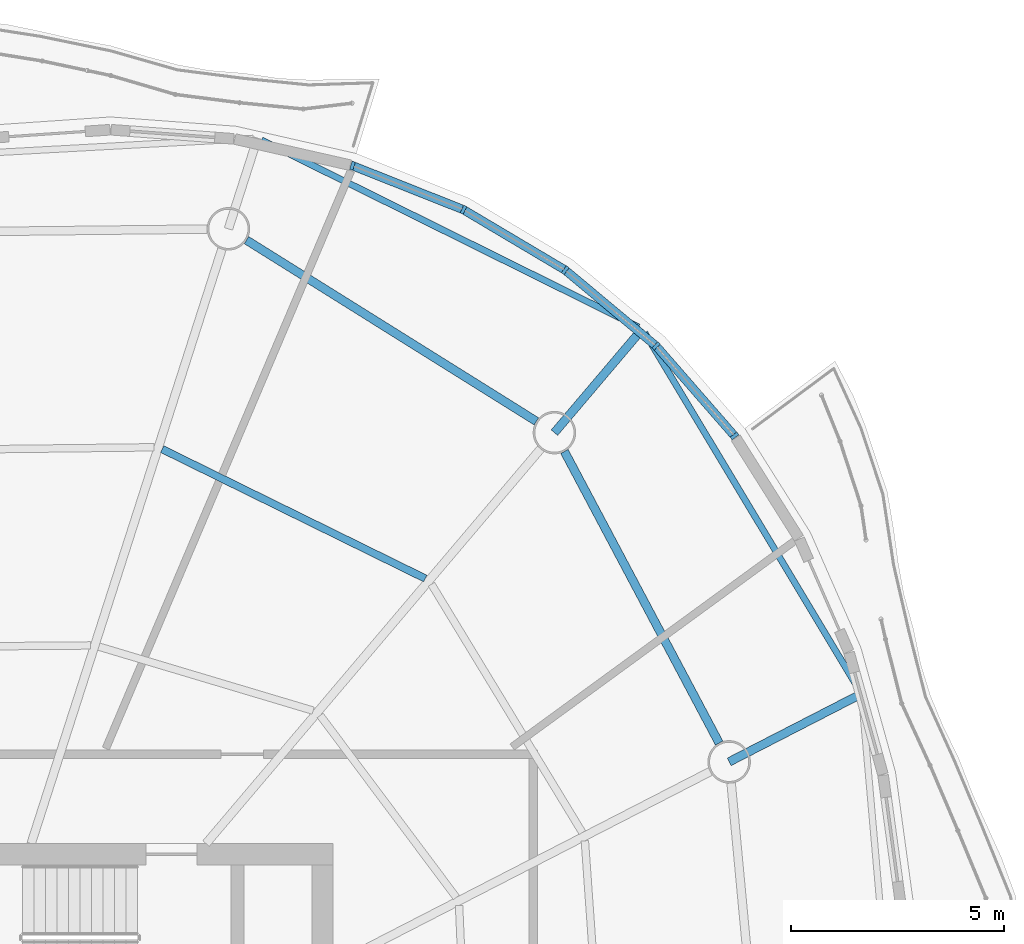
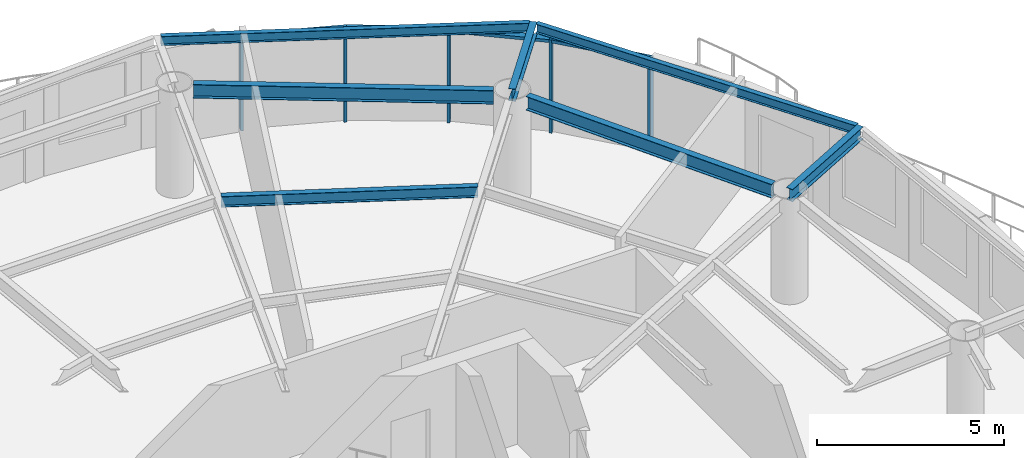
# One storey, part 6 of 14: 9 members, 7 beams, 4 elements without a shape of their own.
"""IFC4 building model written with IfcOpenShell, lengths in metres."""

from ifc_helpers import new_model, si_unit, direction, frame, origin, origin_2d, place, context, subcontext, project, spatial, rectangle, i_section, extrude, material, material_profile, profile_set, type_object, element, aggregate, save


model = new_model("IFC4")

# Units and contexts
model_context = context("Model", 3, precision=1e-05, world=origin(), true_north=direction((0.0, 1.0)))
body_context = subcontext(model_context, "Body", "Model", "MODEL_VIEW")
ifc_project = project(units=[si_unit("LENGTHUNIT", "METRE"), si_unit("AREAUNIT", "SQUARE_METRE"), si_unit("VOLUMEUNIT", "CUBIC_METRE"), si_unit("PLANEANGLEUNIT", "RADIAN"), si_unit("MASSUNIT", "GRAM", prefix="KILO")], contexts=[model_context])

# Site, building, storey
site_placement = place(None, origin())
site = spatial("IfcSite", under=ifc_project, at=site_placement, CompositionType="ELEMENT")
building_placement = place(site_placement, origin())
building = spatial("IfcBuilding", under=site, at=building_placement, Name="Vermilion Reach Broadcast Tower", CompositionType="ELEMENT")
storey_placement = place(building_placement, frame((0.0, 0.0, 254.10009765625)))
storey = spatial("IfcBuildingStorey", under=building, at=storey_placement, Name="L62", CompositionType="ELEMENT", Elevation=254.10009765625)

# Beams
ifc_material_1 = material(Name="Steel S355J2", Category="steel")
ifc_material_profile_1 = material_profile(ifc_material_1, i_section(OverallWidth=0.14990234375, OverallDepth=0.300048828125, WebThickness=0.006591796875, FlangeThickness=0.009033203125, at=origin_2d()), Name="S355J2 HN 300x150x6.5x9")
ifc_profile_set_1 = profile_set([ifc_material_profile_1], Name="Steel S355J2")
beam_type_1 = type_object("IfcBeamType", Name="EB5 HN 300x150x6.5x9", PredefinedType="BEAM", material=ifc_profile_set_1)
beam_1_placement = place(storey_placement, frame((15.964111328125, 11.4052734375, 3.2998046875), z_axis=(-0.514781565132, 0.857321375098, 0.0), x_axis=(-0.857321375098, -0.514781565132, 0.0)))
element("IfcBeam", 1, at=beam_1_placement, inside=storey, type_object=beam_type_1, Name="Edge beam EB5-15", PredefinedType="BEAM", context=body_context, shape_type="SweptSolid", body=[
    extrude(i_section(OverallWidth=0.14990234375, OverallDepth=0.300048828125, WebThickness=0.006591796875, FlangeThickness=0.009033203125, at=origin_2d()), origin(), (0.0, 0.0, 1.0), 9.79736328125),
])
beam_2_placement = place(storey_placement, frame((10.774169921875, 19.94091796875, 3.2998046875), z_axis=(-0.895947529317, 0.444159908941, 0.0), x_axis=(-0.444159908941, -0.895947529317, 0.0)))
element("IfcBeam", 2, at=beam_2_placement, inside=storey, type_object=beam_type_1, Name="Edge beam EB5-16", PredefinedType="BEAM", context=body_context, shape_type="SweptSolid", body=[
    extrude(i_section(OverallWidth=0.14990234375, OverallDepth=0.300048828125, WebThickness=0.006591796875, FlangeThickness=0.009033203125, at=origin_2d()), origin(), (0.0, 0.0, 1.0), 9.89013671875),
])
ifc_material_2 = material(Name="Steel S355J2", Category="steel")
ifc_material_profile_2 = material_profile(ifc_material_2, i_section(OverallWidth=0.199951171875, OverallDepth=0.39990234375, WebThickness=0.008056640625, FlangeThickness=0.012939453125, at=origin_2d()), Name="S355J2 HN 400x200x8x13")
ifc_profile_set_2 = profile_set([ifc_material_profile_2], Name="Steel S355J2")
beam_type_2 = type_object("IfcBeamType", Name="GC5 HN 400x200x8x13", PredefinedType="BEAM", material=ifc_profile_set_2)
beam_3_placement = place(storey_placement, frame((12.905517578125, 9.72021484375, 3.25), z_axis=(0.88932998295, 0.457265985424, 0.0), x_axis=(-0.457265985424, 0.88932998295, 0.0)))
element("IfcBeam", 3, at=beam_3_placement, inside=storey, type_object=beam_type_2, Name="Cantilever girder GC5-15", PredefinedType="BEAM", context=body_context, shape_type="SweptSolid", body=[
    extrude(i_section(OverallWidth=0.199951171875, OverallDepth=0.39990234375, WebThickness=0.008056640625, FlangeThickness=0.012939453125, at=origin_2d()), origin(), (0.0, 0.0, 1.0), 3.4970703125),
])
beam_4_placement = place(storey_placement, frame((8.799560546875, 17.457275390625, 3.25), z_axis=(0.646667861849, 0.762771706641, 0.0), x_axis=(-0.762771706641, 0.646667861849, 0.0)))
element("IfcBeam", 4, at=beam_4_placement, inside=storey, type_object=beam_type_2, Name="Cantilever girder GC5-16", PredefinedType="BEAM", context=body_context, shape_type="SweptSolid", body=[
    extrude(i_section(OverallWidth=0.199951171875, OverallDepth=0.39990234375, WebThickness=0.008056640625, FlangeThickness=0.012939453125, at=origin_2d()), origin(), (0.0, 0.0, 1.0), 3.1962890625),
])
ifc_material_3 = material(Name="Steel S355J2", Category="steel")
ifc_material_profile_3 = material_profile(ifc_material_3, i_section(OverallWidth=0.199951171875, OverallDepth=0.449951171875, WebThickness=0.009033203125, FlangeThickness=0.013916015625, at=origin_2d()), Name="S355J2 HN 450x200x9x14")
ifc_profile_set_3 = profile_set([ifc_material_profile_3], Name="Steel S355J2")
beam_type_3 = type_object("IfcBeamType", Name="RB5 HN 450x200x9x14", PredefinedType="BEAM", material=ifc_profile_set_3)
beam_5_placement = place(storey_placement, frame((12.671142578125, 10.161865234375, 3.224853515625), z_axis=(-0.468767917375, 0.883321368269, 0.0), x_axis=(-0.883321368269, -0.468767917375, 0.0)))
element("IfcBeam", 5, at=beam_5_placement, inside=storey, type_object=beam_type_3, Name="Ring beam RB5-15", PredefinedType="BEAM", context=body_context, shape_type="SweptSolid", body=[
    extrude(i_section(OverallWidth=0.199951171875, OverallDepth=0.449951171875, WebThickness=0.009033203125, FlangeThickness=0.013916015625, at=origin_2d()), origin(), (0.0, 0.0, 1.0), 7.759033203125),
])
beam_6_placement = place(storey_placement, frame((8.375732421875, 17.722412109375, 3.224853515625), z_axis=(-0.847914653245, 0.530132757724, 0.0), x_axis=(-0.530132757724, -0.847914653245, 0.0)))
element("IfcBeam", 6, at=beam_6_placement, inside=storey, type_object=beam_type_3, Name="Ring beam RB5-16", PredefinedType="BEAM", context=body_context, shape_type="SweptSolid", body=[
    extrude(i_section(OverallWidth=0.199951171875, OverallDepth=0.449951171875, WebThickness=0.009033203125, FlangeThickness=0.013916015625, at=origin_2d()), origin(), (0.0, 0.0, 1.0), 8.035400390625),
])
ifc_material_4 = material(Name="Steel S355J2", Category="steel")
ifc_material_profile_4 = material_profile(ifc_material_4, i_section(OverallWidth=0.175048828125, OverallDepth=0.35009765625, WebThickness=0.007080078125, FlangeThickness=0.010986328125, at=origin_2d()), Name="S355J2 HN 350x175x7x11")
ifc_profile_set_4 = profile_set([ifc_material_profile_4], Name="Steel S355J2")
beam_type_4 = type_object("IfcBeamType", Name="SB5 HN 350x175x7x11", PredefinedType="BEAM", material=ifc_profile_set_4)
beam_7_placement = place(storey_placement, frame((5.762451171875, 14.029541015625, 3.27490234375), z_axis=(-0.897335928087, 0.441348198325, 0.0), x_axis=(-0.441348198325, -0.897335928087, 0.0)))
element("IfcBeam", 7, at=beam_7_placement, inside=storey, type_object=beam_type_4, Name="Secondary beam SB5-16-2", PredefinedType="BEAM", context=body_context, shape_type="SweptSolid", body=[
    extrude(i_section(OverallWidth=0.175048828125, OverallDepth=0.35009765625, WebThickness=0.007080078125, FlangeThickness=0.010986328125, at=origin_2d()), origin(), (0.0, 0.0, 1.0), 6.887451171875),
])

# Curtain wall, member
ifc_material_5 = material(Name="Low-e laminated clear glass in aluminium frame", Category="aluminium")
curtain_wall_type = type_object("IfcCurtainWallType", Name="Slot curtain wall", PredefinedType="NOTDEFINED", material=ifc_material_5)
placement = place(storey_placement, origin())
curtain_wall_1 = element("IfcCurtainWall", 8, at=placement, inside=storey, type_object=curtain_wall_type, Name="Slot curtain wall L62 46", PredefinedType="NOTDEFINED")
ifc_material_6 = material(Name="Anodised aluminium", Category="aluminium")
ifc_material_profile_5 = material_profile(ifc_material_6, rectangle(XDim=0.199951171875, YDim=0.080078125, at=origin_2d()), Name="Slot mullion 80 x 200")
ifc_profile_set_5 = profile_set([ifc_material_profile_5], Name="Anodised aluminium")
member_type_1 = type_object("IfcMemberType", Name="Slot mullion 80 x 200", PredefinedType="MULLION", material=ifc_profile_set_5)
member_1_placement = place(storey_placement, frame((13.03125, 17.37939453125, 0.0), z_axis=(0.0, 0.0, 1.0), x_axis=(-0.802333066989, -0.596876578211, 0.0)))
member_1 = element("IfcMember", 9, at=member_1_placement, type_object=member_type_1, Name="Slot mullion L62 46", PredefinedType="MULLION", context=body_context, shape_type="SweptSolid", body=[
    extrude(rectangle(XDim=0.199951171875, YDim=0.080078125, at=origin_2d()), origin(), (0.0, 0.0, 1.0), 3.0498046875),
])

curtain_wall_2 = element("IfcCurtainWall", 10, at=placement, inside=storey, type_object=curtain_wall_type, Name="Slot curtain wall L62 47", PredefinedType="NOTDEFINED")
member_2_placement = place(storey_placement, frame((11.188232421875, 19.493896484375, 0.0), z_axis=(0.0, 0.0, 1.0), x_axis=(-0.699524902282, -0.714608222096, 0.0)))
member_2 = element("IfcMember", 11, at=member_2_placement, type_object=member_type_1, Name="Slot mullion L62 47", PredefinedType="MULLION", context=body_context, shape_type="SweptSolid", body=[
    extrude(rectangle(XDim=0.199951171875, YDim=0.080078125, at=origin_2d()), origin(), (0.0, 0.0, 1.0), 3.0498046875),
])

curtain_wall_3 = element("IfcCurtainWall", 12, at=placement, inside=storey, type_object=curtain_wall_type, Name="Slot curtain wall L62 00", PredefinedType="NOTDEFINED")
member_3_placement = place(storey_placement, frame((9.05322265625, 21.276123046875, 0.0), z_axis=(0.0, 0.0, 1.0), x_axis=(-0.577572773749, -0.81633920096, 0.0)))
member_3 = element("IfcMember", 13, at=member_3_placement, type_object=member_type_1, Name="Slot mullion L62 00", PredefinedType="MULLION", context=body_context, shape_type="SweptSolid", body=[
    extrude(rectangle(XDim=0.199951171875, YDim=0.080078125, at=origin_2d()), origin(), (0.0, 0.0, 1.0), 3.0498046875),
])

# Curtain wall, members
curtain_wall_4 = element("IfcCurtainWall", 14, at=placement, inside=storey, type_object=curtain_wall_type, Name="Slot curtain wall L62 01", PredefinedType="NOTDEFINED")
member_4_placement = place(storey_placement, frame((6.662109375, 22.6962890625, 0.0), z_axis=(0.0, 0.0, 1.0), x_axis=(-0.441053217633, -0.897480952007, 0.0)))
member_4 = element("IfcMember", 15, at=member_4_placement, type_object=member_type_1, Name="Slot mullion L62 01", PredefinedType="MULLION", context=body_context, shape_type="SweptSolid", body=[
    extrude(rectangle(XDim=0.199951171875, YDim=0.080078125, at=origin_2d()), origin(), (0.0, 0.0, 1.0), 3.0498046875),
])
member_5_placement = place(storey_placement, frame((4.0546875, 23.73046875, 0.0), z_axis=(0.0, 0.0, 1.0), x_axis=(-0.295816714647, -0.955244718036, 0.0)))
member_5 = element("IfcMember", 16, at=member_5_placement, type_object=member_type_1, Name="Slot mullion L62 02", PredefinedType="MULLION", context=body_context, shape_type="SweptSolid", body=[
    extrude(rectangle(XDim=0.199951171875, YDim=0.080078125, at=origin_2d()), origin(), (0.0, 0.0, 1.0), 3.0498046875),
])

# Member
ifc_material_7 = material(Name="Anodised aluminium", Category="aluminium")
ifc_material_profile_6 = material_profile(ifc_material_7, rectangle(XDim=0.199951171875, YDim=0.10009765625, at=origin_2d()), Name="Slot transom 200 x 100")
ifc_profile_set_6 = profile_set([ifc_material_profile_6], Name="Anodised aluminium")
member_type_2 = type_object("IfcMemberType", Name="Slot transom 200 x 100", PredefinedType="USERDEFINED", material=ifc_profile_set_6)
member_6_placement = place(storey_placement, frame((13.0048828125, 17.40966796875, 3.0), z_axis=(-0.657069936488, 0.753829621708, 0.0), x_axis=(-0.753829621708, -0.657069936488, 0.0)))
member_6 = element("IfcMember", 17, at=member_6_placement, type_object=member_type_2, Name="Slot transom L62 46.1", ObjectType="TRANSOM", PredefinedType="USERDEFINED", context=body_context, shape_type="SweptSolid", body=[
    extrude(rectangle(XDim=0.199951171875, YDim=0.10009765625, at=origin_2d()), origin(), (0.0, 0.0, 1.0), 2.72509765625),
])

aggregate(curtain_wall_1, [member_1, member_6])

member_7_placement = place(storey_placement, frame((11.157470703125, 19.51953125, 3.0), z_axis=(-0.767665326251, 0.640850955271, 0.0), x_axis=(-0.640850955271, -0.767665326251, 0.0)))
member_7 = element("IfcMember", 18, at=member_7_placement, type_object=member_type_2, Name="Slot transom L62 47.1", ObjectType="TRANSOM", PredefinedType="USERDEFINED", context=body_context, shape_type="SweptSolid", body=[
    extrude(rectangle(XDim=0.199951171875, YDim=0.10009765625, at=origin_2d()), origin(), (0.0, 0.0, 1.0), 2.700927734375),
])

aggregate(curtain_wall_2, [member_2, member_7])

member_8_placement = place(storey_placement, frame((9.018798828125, 21.296630859375, 3.0), z_axis=(-0.859805138602, 0.510622290576, 0.0), x_axis=(-0.510622290576, -0.859805138602, 0.0)))
member_8 = element("IfcMember", 19, at=member_8_placement, type_object=member_type_2, Name="Slot transom L62 00.1", ObjectType="TRANSOM", PredefinedType="USERDEFINED", context=body_context, shape_type="SweptSolid", body=[
    extrude(rectangle(XDim=0.199951171875, YDim=0.10009765625, at=origin_2d()), origin(), (0.0, 0.0, 1.0), 2.700927734375),
])

aggregate(curtain_wall_3, [member_3, member_8])

member_9_placement = place(storey_placement, frame((6.625, 22.7109375, 3.0), z_axis=(-0.929566258475, 0.368655084197, 0.0), x_axis=(-0.368655084197, -0.929566258475, 0.0)))
member_9 = element("IfcMember", 20, at=member_9_placement, type_object=member_type_2, Name="Slot transom L62 01.1", ObjectType="TRANSOM", PredefinedType="USERDEFINED", context=body_context, shape_type="SweptSolid", body=[
    extrude(rectangle(XDim=0.199951171875, YDim=0.10009765625, at=origin_2d()), origin(), (0.0, 0.0, 1.0), 2.72509765625),
])

aggregate(curtain_wall_4, [member_4, member_5, member_9])

save(model, "model.ifc")
